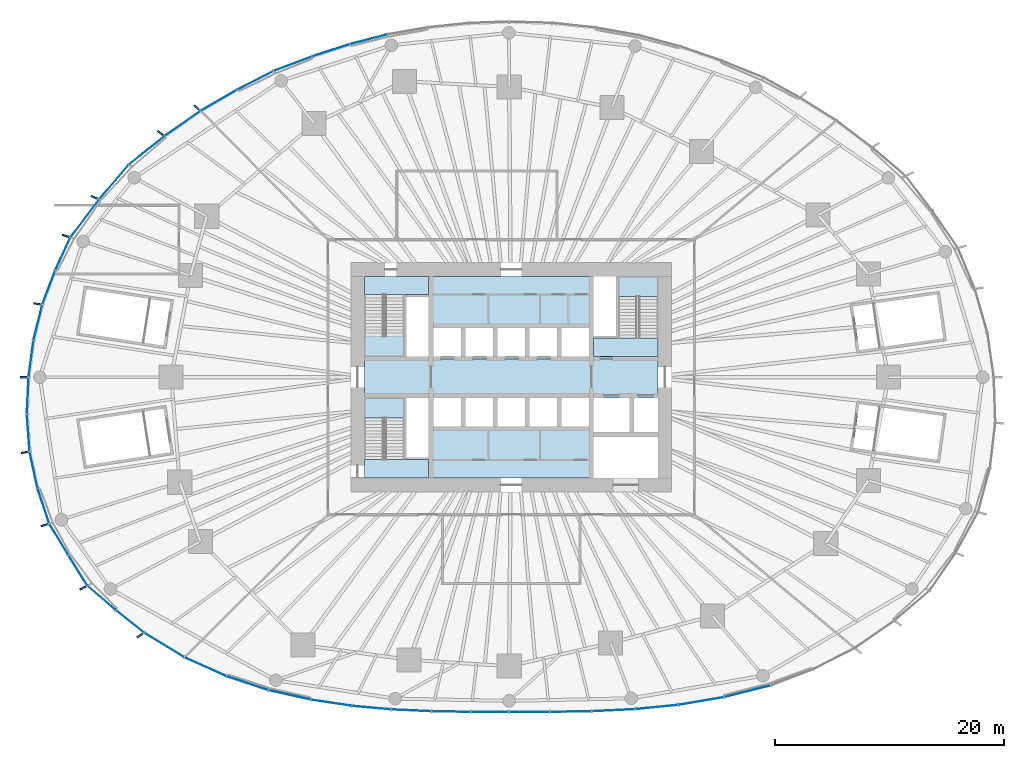
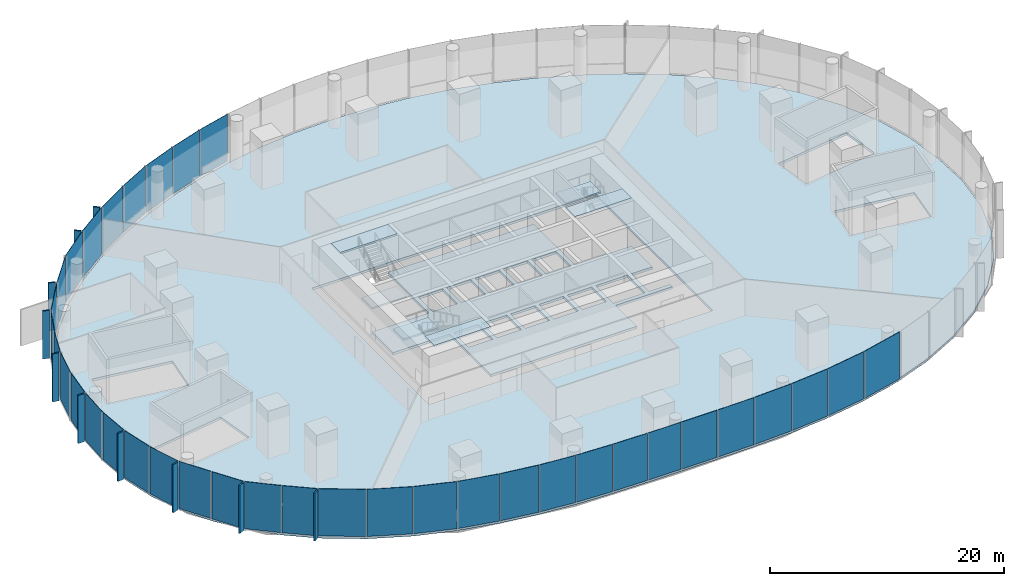
# One storey, part 10 of 27: 46 plates, 8 slabs, 14 elements without a shape of their own.
"""IFC4 building model written with IfcOpenShell, lengths in metres."""

from ifc_helpers import new_model, si_unit, direction, frame, origin, origin_2d, place, context, subcontext, project, spatial, polyline, rectangle, outline, extrude, material, layer, layer_set, type_object, element, aggregate, save


model = new_model("IFC4")

# Units and contexts
model_context = context("Model", 3, precision=1e-05, world=origin(), true_north=direction((0.0, 1.0)))
body_context = subcontext(model_context, "Body", "Model", "MODEL_VIEW")
ifc_project = project(units=[si_unit("LENGTHUNIT", "METRE"), si_unit("AREAUNIT", "SQUARE_METRE"), si_unit("VOLUMEUNIT", "CUBIC_METRE"), si_unit("PLANEANGLEUNIT", "RADIAN"), si_unit("MASSUNIT", "GRAM", prefix="KILO")], contexts=[model_context])

# Site, building, storey
site_placement = place(None, origin())
site = spatial("IfcSite", under=ifc_project, at=site_placement, CompositionType="ELEMENT")
building_placement = place(site_placement, origin())
building = spatial("IfcBuilding", under=site, at=building_placement, Name="Ghaith Harvest Tower", CompositionType="ELEMENT")
storey_placement = place(building_placement, frame((0.0, 0.0, 10.0)))
storey = spatial("IfcBuildingStorey", under=building, at=storey_placement, Name="L02", CompositionType="ELEMENT", Elevation=10.0)

# Curtain wall, plates
ifc_material_1 = material(Name="Black anodised aluminium and fritted glass", Category="aluminium")
curtain_wall_type = type_object("IfcCurtainWallType", Name="CW-P CURTAIN WALL", PredefinedType="NOTDEFINED", material=ifc_material_1)
curtain_wall_1_placement = place(storey_placement, origin())
curtain_wall_1 = element("IfcCurtainWall", 1, at=curtain_wall_1_placement, inside=storey, type_object=curtain_wall_type, Name="Curtain wall CW-P bay 07 L02", PredefinedType="NOTDEFINED")
ifc_material_2 = material(Name="Glass, dark solar-control fritted double glazed unit", Category="glass")
ifc_layer_1 = layer(ifc_material_2, 0.035888671875)
ifc_layer_set_1 = layer_set([ifc_layer_1], Name="CW-P VISION PANEL")
plate_type_1 = type_object("IfcPlateType", Name="CW-P VISION PANEL", PredefinedType="CURTAIN_PANEL", material=ifc_layer_set_1)
plate_1_placement = place(storey_placement, frame((-12.441162109375, 29.484619140625, 0.080078125), z_axis=(0.0, 0.0, 1.0), x_axis=(-0.967939505132, -0.251183427805, 0.0)))
plate_1 = element("IfcPlate", 2, at=plate_1_placement, type_object=plate_type_1, Name="CW-P glass unit 1 bay 07 L02", PredefinedType="CURTAIN_PANEL", context=body_context, shape_type="SweptSolid", body=[
    extrude(rectangle(XDim=3.30517578125, YDim=0.035888671875, at=origin_2d()), origin(), (0.0, 0.0, 1.0), 4.919921875),
])
plate_2_placement = place(storey_placement, frame((-15.7294921875, 28.52197265625, 0.080078125), z_axis=(0.0, 0.0, 1.0), x_axis=(-0.950850408978, -0.309650609149, 0.0)))
plate_2 = element("IfcPlate", 3, at=plate_2_placement, type_object=plate_type_1, Name="CW-P glass unit 2 bay 07 L02", PredefinedType="CURTAIN_PANEL", context=body_context, shape_type="SweptSolid", body=[
    extrude(rectangle(XDim=3.390869140625, YDim=0.035888671875, at=origin_2d()), origin(), (0.0, 0.0, 1.0), 4.919921875),
])
plate_3_placement = place(storey_placement, frame((-19.0634765625, 27.349365234375, 0.080078125), z_axis=(0.0, 0.0, 1.0), x_axis=(-0.935612347435, -0.353029085667, 0.0)))
plate_3 = element("IfcPlate", 4, at=plate_3_placement, type_object=plate_type_1, Name="CW-P glass unit 3 bay 07 L02", PredefinedType="CURTAIN_PANEL", context=body_context, shape_type="SweptSolid", body=[
    extrude(rectangle(XDim=3.51904296875, YDim=0.035888671875, at=origin_2d()), origin(), (0.0, 0.0, 1.0), 4.919921875),
])
aggregate(curtain_wall_1, [plate_1, plate_2, plate_3])

curtain_wall_2_placement = place(storey_placement, origin())
curtain_wall_2 = element("IfcCurtainWall", 5, at=curtain_wall_2_placement, inside=storey, type_object=curtain_wall_type, Name="Curtain wall CW-P bay 08 L02", PredefinedType="NOTDEFINED")
plate_4_placement = place(storey_placement, frame((-22.32763671875, 25.904541015625, 0.080078125), z_axis=(0.0, 0.0, 1.0), x_axis=(-0.890032995801, -0.455896113589, 0.0)))
plate_4 = element("IfcPlate", 6, at=plate_4_placement, type_object=plate_type_1, Name="CW-P glass unit 1 bay 08 L02", PredefinedType="CURTAIN_PANEL", context=body_context, shape_type="SweptSolid", body=[
    extrude(rectangle(XDim=3.4716796875, YDim=0.035888671875, at=origin_2d()), origin(), (0.0, 0.0, 1.0), 4.919921875),
])
plate_5_placement = place(storey_placement, frame((-25.5068359375, 24.167236328125, 0.080078125), z_axis=(0.0, 0.0, 1.0), x_axis=(-0.864982081732, -0.50180274838, 0.0)))
plate_5 = element("IfcPlate", 7, at=plate_5_placement, type_object=plate_type_1, Name="CW-P glass unit 2 bay 08 L02", PredefinedType="CURTAIN_PANEL", context=body_context, shape_type="SweptSolid", body=[
    extrude(rectangle(XDim=3.616943359375, YDim=0.035888671875, at=origin_2d()), origin(), (0.0, 0.0, 1.0), 4.919921875),
])
plate_6_placement = place(storey_placement, frame((-28.675048828125, 22.14208984375, 0.080078125), z_axis=(0.0, 0.0, 1.0), x_axis=(-0.819391761337, -0.573233932572, 0.0)))
plate_6 = element("IfcPlate", 8, at=plate_6_placement, type_object=plate_type_1, Name="CW-P glass unit 3 bay 08 L02", PredefinedType="CURTAIN_PANEL", context=body_context, shape_type="SweptSolid", body=[
    extrude(rectangle(XDim=3.750244140625, YDim=0.035888671875, at=origin_2d()), origin(), (0.0, 0.0, 1.0), 4.919921875),
])
aggregate(curtain_wall_2, [plate_4, plate_5, plate_6])

curtain_wall_3_placement = place(storey_placement, origin())
curtain_wall_3 = element("IfcCurtainWall", 9, at=curtain_wall_3_placement, inside=storey, type_object=curtain_wall_type, Name="Curtain wall CW-P bay 09 L02", PredefinedType="NOTDEFINED")
plate_7_placement = place(storey_placement, frame((-31.806884765625, 19.8017578125, 0.080078125), z_axis=(0.0, 0.0, 1.0), x_axis=(-0.782713046151, -0.622382749909, 0.0)))
plate_7 = element("IfcPlate", 10, at=plate_7_placement, type_object=plate_type_1, Name="CW-P glass unit 1 bay 09 L02", PredefinedType="CURTAIN_PANEL", context=body_context, shape_type="SweptSolid", body=[
    extrude(rectangle(XDim=3.91259765625, YDim=0.035888671875, at=origin_2d()), origin(), (0.0, 0.0, 1.0), 4.919921875),
])
plate_8_placement = place(storey_placement, frame((-34.66845703125, 17.036865234375, 0.080078125), z_axis=(0.0, 0.0, 1.0), x_axis=(-0.649171988298, -0.760641656504, 0.0)))
plate_8 = element("IfcPlate", 11, at=plate_8_placement, type_object=plate_type_1, Name="CW-P glass unit 2 bay 09 L02", PredefinedType="CURTAIN_PANEL", context=body_context, shape_type="SweptSolid", body=[
    extrude(rectangle(XDim=3.922607421875, YDim=0.035888671875, at=origin_2d()), origin(), (0.0, 0.0, 1.0), 4.919921875),
])
plate_9_placement = place(storey_placement, frame((-37.218994140625, 13.853271484375, 0.080078125), z_axis=(0.0, 0.0, 1.0), x_axis=(-0.601622218494, -0.798780762296, 0.0)))
plate_9 = element("IfcPlate", 12, at=plate_9_placement, type_object=plate_type_1, Name="CW-P glass unit 3 bay 09 L02", PredefinedType="CURTAIN_PANEL", context=body_context, shape_type="SweptSolid", body=[
    extrude(rectangle(XDim=4.079833984375, YDim=0.035888671875, at=origin_2d()), origin(), (0.0, 0.0, 1.0), 4.919921875),
])
aggregate(curtain_wall_3, [plate_7, plate_8, plate_9])

curtain_wall_4_placement = place(storey_placement, origin())
curtain_wall_4 = element("IfcCurtainWall", 13, at=curtain_wall_4_placement, inside=storey, type_object=curtain_wall_type, Name="Curtain wall CW-P bay 10 L02", PredefinedType="NOTDEFINED")
plate_10_placement = place(storey_placement, frame((-39.133056640625, 10.7587890625, 0.080078125), z_axis=(0.0, 0.0, 1.0), x_axis=(-0.419754998647, -0.907637450258, 0.0)))
plate_10 = element("IfcPlate", 14, at=plate_10_placement, type_object=plate_type_1, Name="CW-P glass unit 1 bay 10 L02", PredefinedType="CURTAIN_PANEL", context=body_context, shape_type="SweptSolid", body=[
    extrude(rectangle(XDim=3.078125, YDim=0.035888671875, at=origin_2d()), origin(), (0.0, 0.0, 1.0), 4.919921875),
])
plate_11_placement = place(storey_placement, frame((-40.360107421875, 7.82763671875, 0.080078125), z_axis=(0.0, 0.0, 1.0), x_axis=(-0.352482670813, -0.935818340692, 0.0)))
plate_11 = element("IfcPlate", 15, at=plate_11_placement, type_object=plate_type_1, Name="CW-P glass unit 2 bay 10 L02", PredefinedType="CURTAIN_PANEL", context=body_context, shape_type="SweptSolid", body=[
    extrude(rectangle(XDim=3.121337890625, YDim=0.035888671875, at=origin_2d()), origin(), (0.0, 0.0, 1.0), 4.919921875),
])
plate_12_placement = place(storey_placement, frame((-41.308349609375, 4.767333984375, 0.080078125), z_axis=(0.0, 0.0, 1.0), x_axis=(-0.238687604784, -0.971096404752, 0.0)))
plate_12 = element("IfcPlate", 16, at=plate_12_placement, type_object=plate_type_1, Name="CW-P glass unit 3 bay 10 L02", PredefinedType="CURTAIN_PANEL", context=body_context, shape_type="SweptSolid", body=[
    extrude(rectangle(XDim=3.137451171875, YDim=0.035888671875, at=origin_2d()), origin(), (0.0, 0.0, 1.0), 4.919921875),
])
plate_13_placement = place(storey_placement, frame((-41.90625, 1.6025390625, 0.080078125), z_axis=(0.0, 0.0, 1.0), x_axis=(-0.132267739724, -0.991214025843, 0.0)))
plate_13 = element("IfcPlate", 17, at=plate_13_placement, type_object=plate_type_1, Name="CW-P glass unit 4 bay 10 L02", PredefinedType="CURTAIN_PANEL", context=body_context, shape_type="SweptSolid", body=[
    extrude(rectangle(XDim=3.153564453125, YDim=0.035888671875, at=origin_2d()), origin(), (0.0, 0.0, 1.0), 4.919921875),
])
aggregate(curtain_wall_4, [plate_10, plate_11, plate_12, plate_13])

curtain_wall_5_placement = place(storey_placement, origin())
curtain_wall_5 = element("IfcCurtainWall", 18, at=curtain_wall_5_placement, inside=storey, type_object=curtain_wall_type, Name="Curtain wall CW-P bay 11 L02", PredefinedType="NOTDEFINED")
plate_14_placement = place(storey_placement, frame((-42.192626953125, -1.62451171875, 0.080078125), z_axis=(0.0, 0.0, 1.0), x_axis=(-0.044677685507, -0.999001453661, 0.0)))
plate_14 = element("IfcPlate", 19, at=plate_14_placement, type_object=plate_type_1, Name="CW-P glass unit 1 bay 11 L02", PredefinedType="CURTAIN_PANEL", context=body_context, shape_type="SweptSolid", body=[
    extrude(rectangle(XDim=3.17236328125, YDim=0.035888671875, at=origin_2d()), origin(), (0.0, 0.0, 1.0), 4.919921875),
])
plate_15_placement = place(storey_placement, frame((-42.14599609375, -4.874755859375, 0.080078125), z_axis=(0.0, 0.0, 1.0), x_axis=(0.073190274989, -0.997317995249, 0.0)))
plate_15 = element("IfcPlate", 20, at=plate_15_placement, type_object=plate_type_1, Name="CW-P glass unit 2 bay 11 L02", PredefinedType="CURTAIN_PANEL", context=body_context, shape_type="SweptSolid", body=[
    extrude(rectangle(XDim=3.1796875, YDim=0.035888671875, at=origin_2d()), origin(), (0.0, 0.0, 1.0), 4.919921875),
])
plate_16_placement = place(storey_placement, frame((-41.684326171875, -8.093994140625, 0.080078125), z_axis=(0.0, 0.0, 1.0), x_axis=(0.210054065023, -0.977689771741, 0.0)))
plate_16 = element("IfcPlate", 21, at=plate_16_placement, type_object=plate_type_1, Name="CW-P glass unit 3 bay 11 L02", PredefinedType="CURTAIN_PANEL", context=body_context, shape_type="SweptSolid", body=[
    extrude(rectangle(XDim=3.18017578125, YDim=0.035888671875, at=origin_2d()), origin(), (0.0, 0.0, 1.0), 4.919921875),
])
plate_17_placement = place(storey_placement, frame((-40.82666015625, -11.231689453125, 0.080078125), z_axis=(0.0, 0.0, 1.0), x_axis=(0.316559226895, -0.948572746745, 0.0)))
plate_17 = element("IfcPlate", 22, at=plate_17_placement, type_object=plate_type_1, Name="CW-P glass unit 4 bay 11 L02", PredefinedType="CURTAIN_PANEL", context=body_context, shape_type="SweptSolid", body=[
    extrude(rectangle(XDim=3.175048828125, YDim=0.035888671875, at=origin_2d()), origin(), (0.0, 0.0, 1.0), 4.919921875),
])
aggregate(curtain_wall_5, [plate_14, plate_15, plate_16, plate_17])

curtain_wall_6_placement = place(storey_placement, origin())
curtain_wall_6 = element("IfcCurtainWall", 23, at=curtain_wall_6_placement, inside=storey, type_object=curtain_wall_type, Name="Curtain wall CW-P bay 12 L02", PredefinedType="NOTDEFINED")
plate_18_placement = place(storey_placement, frame((-39.48046875, -14.154541015625, 0.080078125), z_axis=(0.0, 0.0, 1.0), x_axis=(0.516091070948, -0.856533715908, 0.0)))
plate_18 = element("IfcPlate", 24, at=plate_18_placement, type_object=plate_type_1, Name="CW-P glass unit 1 bay 12 L02", PredefinedType="CURTAIN_PANEL", context=body_context, shape_type="SweptSolid", body=[
    extrude(rectangle(XDim=3.140380859375, YDim=0.035888671875, at=origin_2d()), origin(), (0.0, 0.0, 1.0), 4.919921875),
])
plate_19_placement = place(storey_placement, frame((-37.8154296875, -16.868408203125, 0.080078125), z_axis=(0.0, 0.0, 1.0), x_axis=(0.530000681574, -0.847997215521, 0.0)))
plate_19 = element("IfcPlate", 25, at=plate_19_placement, type_object=plate_type_1, Name="CW-P glass unit 2 bay 12 L02", PredefinedType="CURTAIN_PANEL", context=body_context, shape_type="SweptSolid", body=[
    extrude(rectangle(XDim=3.067626953125, YDim=0.035888671875, at=origin_2d()), origin(), (0.0, 0.0, 1.0), 4.919921875),
])
plate_20_placement = place(storey_placement, frame((-35.742919921875, -19.271484375, 0.080078125), z_axis=(0.0, 0.0, 1.0), x_axis=(0.757045598065, -0.653362045463, 0.0)))
plate_20 = element("IfcPlate", 26, at=plate_20_placement, type_object=plate_type_1, Name="CW-P glass unit 3 bay 12 L02", PredefinedType="CURTAIN_PANEL", context=body_context, shape_type="SweptSolid", body=[
    extrude(rectangle(XDim=3.191162109375, YDim=0.035888671875, at=origin_2d()), origin(), (0.0, 0.0, 1.0), 4.919921875),
])
plate_21_placement = place(storey_placement, frame((-33.2763671875, -21.319580078125, 0.080078125), z_axis=(0.0, 0.0, 1.0), x_axis=(0.781908657767, -0.623393014806, 0.0)))
plate_21 = element("IfcPlate", 27, at=plate_21_placement, type_object=plate_type_1, Name="CW-P glass unit 4 bay 12 L02", PredefinedType="CURTAIN_PANEL", context=body_context, shape_type="SweptSolid", body=[
    extrude(rectangle(XDim=3.062255859375, YDim=0.035888671875, at=origin_2d()), origin(), (0.0, 0.0, 1.0), 4.919921875),
])
aggregate(curtain_wall_6, [plate_18, plate_19, plate_20, plate_21])

curtain_wall_7_placement = place(storey_placement, origin())
curtain_wall_7 = element("IfcCurtainWall", 28, at=curtain_wall_7_placement, inside=storey, type_object=curtain_wall_type, Name="Curtain wall CW-P bay 13 L02", PredefinedType="NOTDEFINED")
plate_22_placement = place(storey_placement, frame((-30.283447265625, -23.375244140625, 0.080078125), z_axis=(0.0, 0.0, 1.0), x_axis=(0.853734681529, -0.520708261462, 0.0)))
plate_22 = element("IfcPlate", 29, at=plate_22_placement, type_object=plate_type_1, Name="CW-P glass unit 1 bay 13 L02", PredefinedType="CURTAIN_PANEL", context=body_context, shape_type="SweptSolid", body=[
    extrude(rectangle(XDim=4.053466796875, YDim=0.035888671875, at=origin_2d()), origin(), (0.0, 0.0, 1.0), 4.919921875),
])
plate_23_placement = place(storey_placement, frame((-26.690185546875, -25.273681640625, 0.080078125), z_axis=(0.0, 0.0, 1.0), x_axis=(0.912066560722, -0.41004217931, 0.0)))
plate_23 = element("IfcPlate", 30, at=plate_23_placement, type_object=plate_type_1, Name="CW-P glass unit 2 bay 13 L02", PredefinedType="CURTAIN_PANEL", context=body_context, shape_type="SweptSolid", body=[
    extrude(rectangle(XDim=3.929931640625, YDim=0.035888671875, at=origin_2d()), origin(), (0.0, 0.0, 1.0), 4.919921875),
])
plate_24_placement = place(storey_placement, frame((-23.03857421875, -26.706787109375, 0.080078125), z_axis=(0.0, 0.0, 1.0), x_axis=(0.94815923205, -0.317795642949, 0.0)))
plate_24 = element("IfcPlate", 31, at=plate_24_placement, type_object=plate_type_1, Name="CW-P glass unit 3 bay 13 L02", PredefinedType="CURTAIN_PANEL", context=body_context, shape_type="SweptSolid", body=[
    extrude(rectangle(XDim=3.76513671875, YDim=0.035888671875, at=origin_2d()), origin(), (0.0, 0.0, 1.0), 4.919921875),
])
aggregate(curtain_wall_7, [plate_22, plate_23, plate_24])

curtain_wall_8_placement = place(storey_placement, origin())
curtain_wall_8 = element("IfcCurtainWall", 32, at=curtain_wall_8_placement, inside=storey, type_object=curtain_wall_type, Name="Curtain wall CW-P bay 14 L02", PredefinedType="NOTDEFINED")
plate_25_placement = place(storey_placement, frame((-19.347900390625, -27.73193359375, 0.080078125), z_axis=(0.0, 0.0, 1.0), x_axis=(0.976277299195, -0.216523982684, 0.0)))
plate_25 = element("IfcPlate", 33, at=plate_25_placement, type_object=plate_type_1, Name="CW-P glass unit 1 bay 14 L02", PredefinedType="CURTAIN_PANEL", context=body_context, shape_type="SweptSolid", body=[
    extrude(rectangle(XDim=3.74658203125, YDim=0.035888671875, at=origin_2d()), origin(), (0.0, 0.0, 1.0), 4.919921875),
])
plate_26_placement = place(storey_placement, frame((-15.689697265625, -28.416748046875, 0.080078125), z_axis=(0.0, 0.0, 1.0), x_axis=(0.988773912704, -0.149419374769, 0.0)))
plate_26 = element("IfcPlate", 34, at=plate_26_placement, type_object=plate_type_1, Name="CW-P glass unit 2 bay 14 L02", PredefinedType="CURTAIN_PANEL", context=body_context, shape_type="SweptSolid", body=[
    extrude(rectangle(XDim=3.541748046875, YDim=0.035888671875, at=origin_2d()), origin(), (0.0, 0.0, 1.0), 4.919921875),
])
plate_27_placement = place(storey_placement, frame((-12.1865234375, -28.843505859375, 0.080078125), z_axis=(0.0, 0.0, 1.0), x_axis=(0.995868378724, -0.090808437148, 0.0)))
plate_27 = element("IfcPlate", 35, at=plate_27_placement, type_object=plate_type_1, Name="CW-P glass unit 3 bay 14 L02", PredefinedType="CURTAIN_PANEL", context=body_context, shape_type="SweptSolid", body=[
    extrude(rectangle(XDim=3.359375, YDim=0.035888671875, at=origin_2d()), origin(), (0.0, 0.0, 1.0), 4.919921875),
])
aggregate(curtain_wall_8, [plate_25, plate_26, plate_27])

curtain_wall_9_placement = place(storey_placement, origin())
curtain_wall_9 = element("IfcCurtainWall", 36, at=curtain_wall_9_placement, inside=storey, type_object=curtain_wall_type, Name="Curtain wall CW-P bay 15 L02", PredefinedType="NOTDEFINED")
plate_28_placement = place(storey_placement, frame((-8.70263671875, -29.081298828125, 0.080078125), z_axis=(0.0, 0.0, 1.0), x_axis=(0.998938820925, -0.046056834987, 0.0)))
plate_28 = element("IfcPlate", 37, at=plate_28_placement, type_object=plate_type_1, Name="CW-P glass unit 1 bay 15 L02", PredefinedType="CURTAIN_PANEL", context=body_context, shape_type="SweptSolid", body=[
    extrude(rectangle(XDim=3.466552734375, YDim=0.035888671875, at=origin_2d()), origin(), (0.0, 0.0, 1.0), 4.919921875),
])
plate_29_placement = place(storey_placement, frame((-5.228515625, -29.18994140625, 0.080078125), z_axis=(0.0, 0.0, 1.0), x_axis=(0.999875064509, -0.01580681412, 0.0)))
plate_29 = element("IfcPlate", 38, at=plate_29_placement, type_object=plate_type_1, Name="CW-P glass unit 2 bay 15 L02", PredefinedType="CURTAIN_PANEL", context=body_context, shape_type="SweptSolid", body=[
    extrude(rectangle(XDim=3.325927734375, YDim=0.035888671875, at=origin_2d()), origin(), (0.0, 0.0, 1.0), 4.919921875),
])
plate_30_placement = place(storey_placement, frame((-1.86279296875, -29.218505859375, 0.080078125), z_axis=(0.0, 0.0, 1.0), x_axis=(0.999999515616, -0.00098425958, 0.0)))
plate_30 = element("IfcPlate", 39, at=plate_30_placement, type_object=plate_type_1, Name="CW-P glass unit 3 bay 15 L02", PredefinedType="CURTAIN_PANEL", context=body_context, shape_type="SweptSolid", body=[
    extrude(rectangle(XDim=3.245849609375, YDim=0.035888671875, at=origin_2d()), origin(), (0.0, 0.0, 1.0), 4.919921875),
])
aggregate(curtain_wall_9, [plate_28, plate_29, plate_30])

curtain_wall_10_placement = place(storey_placement, origin())
curtain_wall_10 = element("IfcCurtainWall", 40, at=curtain_wall_10_placement, inside=storey, type_object=curtain_wall_type, Name="Curtain wall CW-P bay 16 L02", PredefinedType="NOTDEFINED")
plate_31_placement = place(storey_placement, frame((1.582763671875, -29.218994140625, 0.080078125), z_axis=(0.0, 0.0, 1.0), x_axis=(0.999999774189, 0.000672028785, 0.0)))
plate_31 = element("IfcPlate", 41, at=plate_31_placement, type_object=plate_type_1, Name="CW-P glass unit 1 bay 16 L02", PredefinedType="CURTAIN_PANEL", context=body_context, shape_type="SweptSolid", body=[
    extrude(rectangle(XDim=3.485595703125, YDim=0.035888671875, at=origin_2d()), origin(), (0.0, 0.0, 1.0), 4.919921875),
])
plate_32_placement = place(storey_placement, frame((5.1923828125, -29.18896484375, 0.080078125), z_axis=(0.0, 0.0, 1.0), x_axis=(0.999877354219, 0.015661306459, 0.0)))
plate_32 = element("IfcPlate", 42, at=plate_32_placement, type_object=plate_type_1, Name="CW-P glass unit 2 bay 16 L02", PredefinedType="CURTAIN_PANEL", context=body_context, shape_type="SweptSolid", body=[
    extrude(rectangle(XDim=3.573974609375, YDim=0.035888671875, at=origin_2d()), origin(), (0.0, 0.0, 1.0), 4.919921875),
])
plate_33_placement = place(storey_placement, frame((8.925537109375, -29.067626953125, 0.080078125), z_axis=(0.0, 0.0, 1.0), x_axis=(0.998818465999, 0.048597036728, 0.0)))
plate_33 = element("IfcPlate", 43, at=plate_33_placement, type_object=plate_type_1, Name="CW-P glass unit 3 bay 16 L02", PredefinedType="CURTAIN_PANEL", context=body_context, shape_type="SweptSolid", body=[
    extrude(rectangle(XDim=3.737060546875, YDim=0.035888671875, at=origin_2d()), origin(), (0.0, 0.0, 1.0), 4.919921875),
])
aggregate(curtain_wall_10, [plate_31, plate_32, plate_33])

curtain_wall_11_placement = place(storey_placement, origin())
curtain_wall_11 = element("IfcCurtainWall", 44, at=curtain_wall_11_placement, inside=storey, type_object=curtain_wall_type, Name="Curtain wall CW-P bay 17 L02", PredefinedType="NOTDEFINED")
plate_34_placement = place(storey_placement, frame((12.71630859375, -28.78759765625, 0.080078125), z_axis=(0.0, 0.0, 1.0), x_axis=(0.995092549283, 0.098948564221, 0.0)))
plate_34 = element("IfcPlate", 45, at=plate_34_placement, type_object=plate_type_1, Name="CW-P glass unit 1 bay 17 L02", PredefinedType="CURTAIN_PANEL", context=body_context, shape_type="SweptSolid", body=[
    extrude(rectangle(XDim=3.70751953125, YDim=0.035888671875, at=origin_2d()), origin(), (0.0, 0.0, 1.0), 4.919921875),
])
plate_35_placement = place(storey_placement, frame((16.5771484375, -28.2666015625, 0.080078125), z_axis=(0.0, 0.0, 1.0), x_axis=(0.986061908364, 0.166378823395, 0.0)))
plate_35 = element("IfcPlate", 46, at=plate_35_placement, type_object=plate_type_1, Name="CW-P glass unit 2 bay 17 L02", PredefinedType="CURTAIN_PANEL", context=body_context, shape_type="SweptSolid", body=[
    extrude(rectangle(XDim=3.928466796875, YDim=0.035888671875, at=origin_2d()), origin(), (0.0, 0.0, 1.0), 4.919921875),
])
plate_36_placement = place(storey_placement, frame((20.61669921875, -27.414306640625, 0.080078125), z_axis=(0.0, 0.0, 1.0), x_axis=(0.969784618227, 0.243962690283, 0.0)))
plate_36 = element("IfcPlate", 47, at=plate_36_placement, type_object=plate_type_1, Name="CW-P glass unit 3 bay 17 L02", PredefinedType="CURTAIN_PANEL", context=body_context, shape_type="SweptSolid", body=[
    extrude(rectangle(XDim=4.175048828125, YDim=0.035888671875, at=origin_2d()), origin(), (0.0, 0.0, 1.0), 4.919921875),
])
aggregate(curtain_wall_11, [plate_34, plate_35, plate_36])

# Slabs
ifc_material_3 = material(Name="Concrete C40/50", Category="concrete")
ifc_layer_2 = layer(ifc_material_3, 0.25)
ifc_layer_set_2 = layer_set([ifc_layer_2], Name="FLOOR SLAB 250")
slab_type_1 = type_object("IfcSlabType", Name="FLOOR SLAB 250", PredefinedType="FLOOR", material=ifc_layer_set_2)
slab_1_placement = place(storey_placement, frame((0.0, 0.0, -0.25)))
element("IfcSlab", 48, at=slab_1_placement, inside=storey, type_object=slab_type_1, Name="Floor slab L02", PredefinedType="FLOOR", context=body_context, shape_type="SweptSolid", body=[
    extrude(outline(polyline([(42.0, 0.0), (41.43310546875, 3.897216796875), (40.3486328125, 7.658203125), (38.736572265625, 11.19580078125), (36.625732421875, 14.47998046875), (34.138671875, 17.4111328125), (31.389404296875, 19.9765625), (28.29345703125, 22.319580078125), (25.11083984375, 24.3037109375), (21.901123046875, 25.9716796875), (18.281005859375, 27.522705078125), (14.681396484375, 28.758056640625), (11.103271484375, 29.701171875), (7.317138671875, 30.397705078125), (3.546875, 30.789794921875), (-0.21142578125, 30.899658203125), (-3.714111328125, 30.778564453125), (-7.227783203125, 30.410400390625), (-10.755126953125, 29.778076171875), (-14.027099609375, 28.951416015625), (-17.31640625, 27.882568359375), (-20.624267578125, 26.55615234375), (-23.8251953125, 25.008056640625), (-27.0146484375, 23.16162109375), (-30.145751953125, 20.9755859375), (-33.12451171875, 18.423095703125), (-35.857421875, 15.46728515625), (-38.212890625, 12.1103515625), (-39.67919921875, 9.298095703125), (-40.8056640625, 6.311279296875), (-41.57275390625, 3.196044921875), (-42.0, 0.0), (-42.145751953125, -3.239990234375), (-41.908203125, -6.48193359375), (-41.22509765625, -9.660400390625), (-40.082763671875, -12.702880859375), (-38.5380859375, -15.489013671875), (-36.622314453125, -18.0263671875), (-34.4013671875, -20.279296875), (-31.94921875, -22.230712890625), (-28.427978515625, -24.373291015625), (-24.77880859375, -26.0087890625), (-21.123779296875, -27.19921875), (-17.416748046875, -28.044189453125), (-13.8466796875, -28.579345703125), (-10.43310546875, -28.88671875), (-6.903564453125, -29.046142578125), (-3.511474609375, -29.09765625), (-0.19921875, -29.10009765625), (3.351806640625, -29.098388671875), (6.9912109375, -29.043701171875), (10.789794921875, -28.862548828125), (14.54638671875, -28.493408203125), (18.487060546875, -27.833251953125), (22.576904296875, -26.77294921875), (26.25244140625, -25.40869140625), (29.87744140625, -23.5693359375), (33.314208984375, -21.201416015625), (36.223876953125, -18.474609375), (38.668212890625, -15.287353515625), (40.513427734375, -11.709228515625), (41.6611328125, -7.9072265625), (42.129150390625, -3.962646484375), (42.0, 0.0)]), holes=[polyline([(-14.0, -10.0), (14.0, -10.0), (14.0, 10.0), (-14.0, 10.0), (-14.0, -10.0)]), polyline([(30.36962890625, 2.3564453125), (37.696533203125, 3.39404296875), (37.15673828125, 7.2060546875), (29.829833984375, 6.16845703125), (30.36962890625, 2.3564453125)]), polyline([(-29.74853515625, 6.549072265625), (-37.0615234375, 7.68017578125), (-37.650146484375, 3.87548828125), (-30.3369140625, 2.744384765625), (-29.74853515625, 6.549072265625)]), polyline([(-30.3369140625, -2.744384765625), (-37.650146484375, -3.87548828125), (-37.0615234375, -7.68017578125), (-29.74853515625, -6.549072265625), (-30.3369140625, -2.744384765625)]), polyline([(29.829833984375, -6.16845703125), (37.15673828125, -7.2060546875), (37.696533203125, -3.39404296875), (30.36962890625, -2.3564453125), (29.829833984375, -6.16845703125)])]), origin(), (0.0, 0.0, 1.0), 0.25),
])
slab_2_placement = place(storey_placement, frame((0.0, 0.0, -0.25)))
element("IfcSlab", 49, at=slab_2_placement, inside=storey, type_object=slab_type_1, Name="Core slab L02", PredefinedType="FLOOR", context=body_context, shape_type="SweptSolid", body=[
    extrude(outline(polyline([(-12.800048828125, 1.800048828125), (-7.199951171875, 1.800048828125), (-7.199951171875, 8.800048828125), (7.199951171875, 8.800048828125), (7.199951171875, 1.800048828125), (12.800048828125, 1.800048828125), (12.800048828125, -1.800048828125), (10.699951171875, -1.800048828125), (10.699951171875, -4.800048828125), (12.800048828125, -4.800048828125), (12.800048828125, -5.199951171875), (7.199951171875, -5.199951171875), (7.199951171875, -8.800048828125), (-7.199951171875, -8.800048828125), (-7.199951171875, -1.800048828125), (-12.800048828125, -1.800048828125), (-12.800048828125, 1.800048828125)]), holes=[polyline([(-4.39990234375, -4.300048828125), (-4.39990234375, -1.800048828125), (-6.800048828125, -1.800048828125), (-6.800048828125, -4.300048828125), (-4.39990234375, -4.300048828125)]), polyline([(-1.60009765625, -4.300048828125), (-1.60009765625, -1.800048828125), (-4.0, -1.800048828125), (-4.0, -4.300048828125), (-1.60009765625, -4.300048828125)]), polyline([(1.199951171875, -4.300048828125), (1.199951171875, -1.800048828125), (-1.199951171875, -1.800048828125), (-1.199951171875, -4.300048828125), (1.199951171875, -4.300048828125)]), polyline([(-4.39990234375, 1.800048828125), (-4.39990234375, 4.300048828125), (-6.800048828125, 4.300048828125), (-6.800048828125, 1.800048828125), (-4.39990234375, 1.800048828125)]), polyline([(-1.60009765625, 1.800048828125), (-1.60009765625, 4.300048828125), (-4.0, 4.300048828125), (-4.0, 1.800048828125), (-1.60009765625, 1.800048828125)]), polyline([(1.199951171875, 1.800048828125), (1.199951171875, 4.300048828125), (-1.199951171875, 4.300048828125), (-1.199951171875, 1.800048828125), (1.199951171875, 1.800048828125)]), polyline([(10.300048828125, -4.800048828125), (10.300048828125, -1.800048828125), (7.199951171875, -1.800048828125), (7.199951171875, -4.800048828125), (10.300048828125, -4.800048828125)]), polyline([(4.0, -4.300048828125), (4.0, -1.800048828125), (1.60009765625, -1.800048828125), (1.60009765625, -4.300048828125), (4.0, -4.300048828125)]), polyline([(6.800048828125, -4.300048828125), (6.800048828125, -1.800048828125), (4.39990234375, -1.800048828125), (4.39990234375, -4.300048828125), (6.800048828125, -4.300048828125)]), polyline([(4.0, 1.800048828125), (4.0, 4.300048828125), (1.60009765625, 4.300048828125), (1.60009765625, 1.800048828125), (4.0, 1.800048828125)]), polyline([(6.800048828125, 1.800048828125), (6.800048828125, 4.300048828125), (4.39990234375, 4.300048828125), (4.39990234375, 1.800048828125), (6.800048828125, 1.800048828125)])]), origin(), (0.0, 0.0, 1.0), 0.25),
])

# Stair, slabs
ifc_material_4 = material(Name="Concrete C40/50, precast", Category="concrete")
stair_type = type_object("IfcStairType", Name="CORE STAIR 28R", PredefinedType="HALF_TURN_STAIR", material=ifc_material_4)
stair_1_placement = place(storey_placement, origin())
stair_1 = element("IfcStair", 50, at=stair_1_placement, inside=storey, type_object=stair_type, Name="Stair ST1 L02", PredefinedType="HALF_TURN_STAIR")
ifc_material_5 = material(Name="Concrete C40/50, precast", Category="concrete")
ifc_layer_3 = layer(ifc_material_5, 0.179931640625)
ifc_layer_set_3 = layer_set([ifc_layer_3], Name="STAIR LANDING 180")
slab_type_2 = type_object("IfcSlabType", Name="STAIR LANDING 180", PredefinedType="LANDING", material=ifc_layer_set_3)
slab_3_placement = place(storey_placement, frame((0.0, 0.0, 2.320068359375)))
slab_3 = element("IfcSlab", 51, at=slab_3_placement, type_object=slab_type_2, Name="ST1 landing 1", PredefinedType="LANDING", context=body_context, shape_type="SweptSolid", body=[
    extrude(outline(polyline([(-12.800048828125, 3.580078125), (-12.800048828125, 1.800048828125), (-9.35009765625, 1.800048828125), (-9.35009765625, 3.580078125), (-12.800048828125, 3.580078125)])), origin(), (0.0, 0.0, 1.0), 0.179931640625),
])
slab_4_placement = place(storey_placement, frame((0.0, 0.0, 4.820068359375)))
slab_4 = element("IfcSlab", 52, at=slab_4_placement, type_object=slab_type_2, Name="ST1 landing 2", PredefinedType="LANDING", context=body_context, shape_type="SweptSolid", body=[
    extrude(outline(polyline([(-12.800048828125, 8.800048828125), (-12.800048828125, 7.199951171875), (-7.199951171875, 7.199951171875), (-7.199951171875, 8.800048828125), (-12.800048828125, 8.800048828125)])), origin(), (0.0, 0.0, 1.0), 0.179931640625),
])
aggregate(stair_1, [slab_3, slab_4])

stair_2_placement = place(storey_placement, origin())
stair_2 = element("IfcStair", 53, at=stair_2_placement, inside=storey, type_object=stair_type, Name="Stair ST3 L02", PredefinedType="HALF_TURN_STAIR")
slab_5_placement = place(storey_placement, frame((0.0, 0.0, 2.320068359375)))
slab_5 = element("IfcSlab", 54, at=slab_5_placement, type_object=slab_type_2, Name="ST3 landing 1", PredefinedType="LANDING", context=body_context, shape_type="SweptSolid", body=[
    extrude(outline(polyline([(-12.800048828125, -3.580078125), (-12.800048828125, -1.800048828125), (-9.35009765625, -1.800048828125), (-9.35009765625, -3.580078125), (-12.800048828125, -3.580078125)])), origin(), (0.0, 0.0, 1.0), 0.179931640625),
])
slab_6_placement = place(storey_placement, frame((0.0, 0.0, 4.820068359375)))
slab_6 = element("IfcSlab", 55, at=slab_6_placement, type_object=slab_type_2, Name="ST3 landing 2", PredefinedType="LANDING", context=body_context, shape_type="SweptSolid", body=[
    extrude(outline(polyline([(-12.800048828125, -8.800048828125), (-12.800048828125, -7.199951171875), (-7.199951171875, -7.199951171875), (-7.199951171875, -8.800048828125), (-12.800048828125, -8.800048828125)])), origin(), (0.0, 0.0, 1.0), 0.179931640625),
])
aggregate(stair_2, [slab_5, slab_6])

stair_3_placement = place(storey_placement, origin())
stair_3 = element("IfcStair", 56, at=stair_3_placement, inside=storey, type_object=stair_type, Name="Stair ST2 L02", PredefinedType="HALF_TURN_STAIR")
slab_7_placement = place(storey_placement, frame((0.0, 0.0, 2.320068359375)))
slab_7 = element("IfcSlab", 57, at=slab_7_placement, type_object=slab_type_2, Name="ST2 landing 1", PredefinedType="LANDING", context=body_context, shape_type="SweptSolid", body=[
    extrude(outline(polyline([(12.800048828125, 7.02001953125), (12.800048828125, 8.800048828125), (9.35009765625, 8.800048828125), (9.35009765625, 7.02001953125), (12.800048828125, 7.02001953125)])), origin(), (0.0, 0.0, 1.0), 0.179931640625),
])
slab_8_placement = place(storey_placement, frame((0.0, 0.0, 4.820068359375)))
slab_8 = element("IfcSlab", 58, at=slab_8_placement, type_object=slab_type_2, Name="ST2 landing 2", PredefinedType="LANDING", context=body_context, shape_type="SweptSolid", body=[
    extrude(outline(polyline([(12.800048828125, 1.800048828125), (12.800048828125, 3.39990234375), (7.199951171875, 3.39990234375), (7.199951171875, 1.800048828125), (12.800048828125, 1.800048828125)])), origin(), (0.0, 0.0, 1.0), 0.179931640625),
])
aggregate(stair_3, [slab_7, slab_8])

# Plates
ifc_material_6 = material(Name="Glassfibre-reinforced concrete", Category="concrete")
ifc_layer_4 = layer(ifc_material_6, 0.14990234375)
ifc_layer_set_4 = layer_set([ifc_layer_4], Name="SUN-BREAKER FIN 600x150")
plate_type_2 = type_object("IfcPlateType", Name="SUN-BREAKER FIN 600x150", PredefinedType="USERDEFINED", material=ifc_layer_set_4)
for number, where, z_axis, x_axis, name in (
    (59, (-27.447509765625, 23.53271484375, 0.0), (0.0, 0.0, 1.0), (-0.759169742643, 0.650892696115, 0.0), "Sun-breaker fin CW-P 3 bay 08 L02"),
    (60, (-30.613525390625, 21.30126953125, 0.0), (0.0, 0.0, 1.0), (-0.820845486523, 0.571150319316, 0.0), "Sun-breaker fin CW-P 1 bay 09 L02"),
    (61, (-36.380859375, 15.693115234375, 0.0), (0.0, 0.0, 1.0), (-0.918217993215, 0.396075392995, 0.0), "Sun-breaker fin CW-P 3 bay 09 L02"),
    (62, (-38.8994140625, 12.327880859375, 0.0), (0.0, 0.0, 1.0), (-0.953273219358, 0.302109531884, 0.0), "Sun-breaker fin CW-P 1 bay 10 L02"),
    (63, (-41.368896484375, 6.3984375, 0.0), (0.0, 0.0, 1.0), (-0.988249264984, 0.152850875882, 0.0), "Sun-breaker fin CW-P 3 bay 10 L02"),
    (64, (-42.570068359375, 0.0, 0.0), (0.0, 0.0, 1.0), (-1.0, -4.19e-10, 0.0), "Sun-breaker fin CW-P 1 bay 11 L02"),
    (65, (-42.471435546875, -6.569091796875, 0.0), (0.0, 0.0, 1.0), (-0.988249265011, -0.152850875709, 0.0), "Sun-breaker fin CW-P 3 bay 11 L02"),
    (66, (-40.740478515625, -12.911376953125, 0.0), (0.0, 0.0, 1.0), (-0.953273219416, -0.302109531701, 0.0), "Sun-breaker fin CW-P 1 bay 12 L02"),
    (67, (-37.385009765625, -18.401611328125, 0.0), (0.0, 0.0, 1.0), (-0.897201221415, -0.441621974421, 0.0), "Sun-breaker fin CW-P 3 bay 12 L02"),
    (68, (-32.417236328125, -22.55615234375, 0.0), (0.0, 0.0, 1.0), (-0.820845486622, -0.571150319173, 0.0), "Sun-breaker fin CW-P 1 bay 13 L02"),
):
    element("IfcPlate", number, at=place(storey_placement, frame(where, z_axis=z_axis, x_axis=x_axis)), inside=storey, type_object=plate_type_2, Name=name, ObjectType="SUN-BREAKER FIN", PredefinedType="USERDEFINED", context=body_context, shape_type="SweptSolid", body=[
        extrude(rectangle(XDim=0.60009765625, YDim=0.14990234375, at=origin_2d()), origin(), (0.0, 0.0, 1.0), 5.0),
    ])

save(model, "model.ifc")
